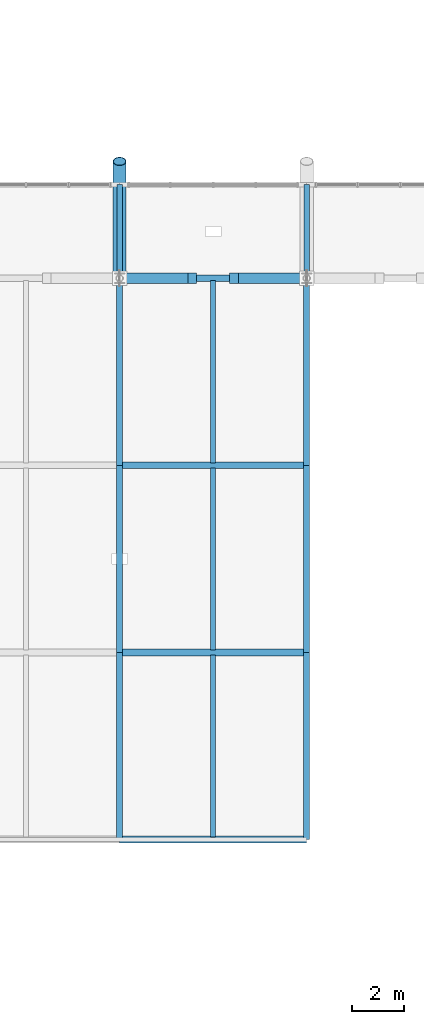
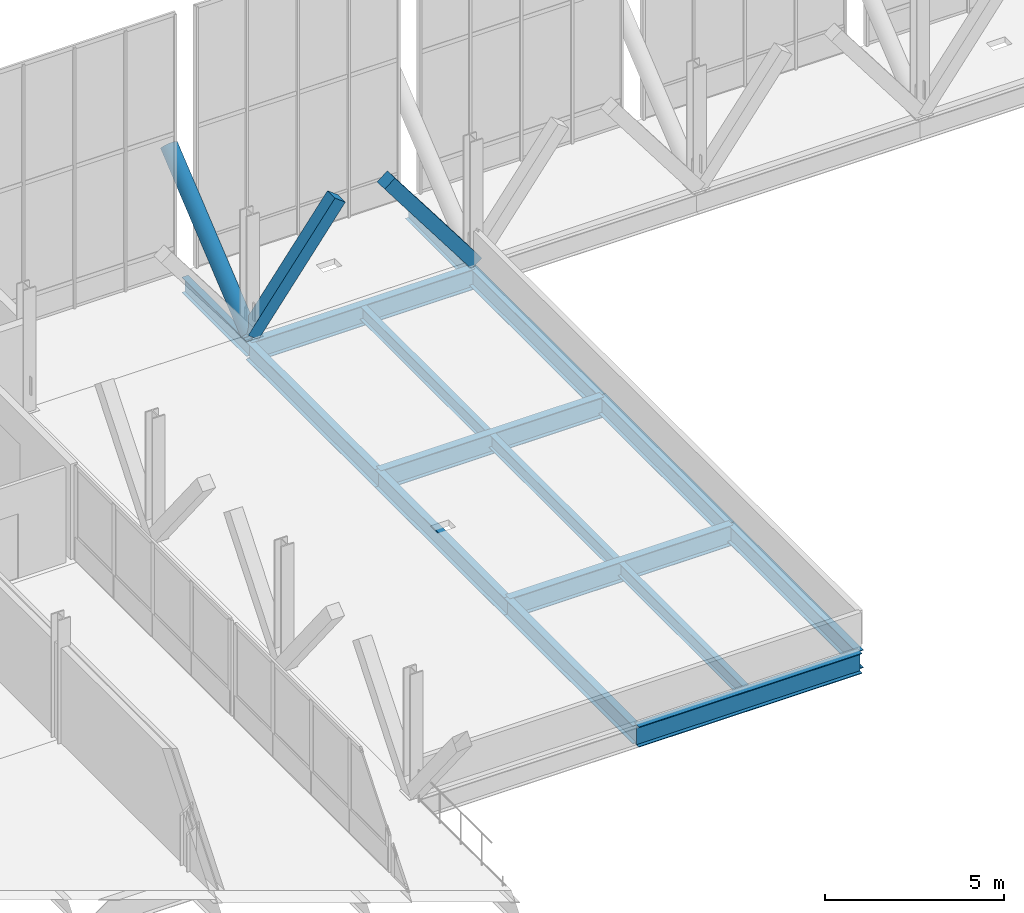
# One storey, part 26 of 102: 15 beams, 3 members.
"""IFC4 building model written with IfcOpenShell, lengths in metres."""

from ifc_helpers import new_model, si_unit, direction, frame, origin, origin_2d, place, context, subcontext, project, spatial, rectangle, hollow_circle, i_section, extrude, material, material_profile, profile_set, type_object, element, save


model = new_model("IFC4")

# Units and contexts
model_context = context("Model", 3, precision=1e-05, world=origin(), true_north=direction((0.0, 1.0)))
body_context = subcontext(model_context, "Body", "Model", "MODEL_VIEW")
ifc_project = project(units=[si_unit("LENGTHUNIT", "METRE"), si_unit("AREAUNIT", "SQUARE_METRE"), si_unit("VOLUMEUNIT", "CUBIC_METRE"), si_unit("PLANEANGLEUNIT", "RADIAN"), si_unit("MASSUNIT", "GRAM", prefix="KILO")], contexts=[model_context])

# Site, building, storey
site_placement = place(None, origin())
site = spatial("IfcSite", under=ifc_project, at=site_placement, CompositionType="ELEMENT")
building_placement = place(site_placement, origin())
building = spatial("IfcBuilding", under=site, at=building_placement, Name="Yarey Park Central Fire Station", CompositionType="ELEMENT")
storey_placement = place(building_placement, frame((0.0, 0.0, 6.0)))
storey = spatial("IfcBuildingStorey", under=building, at=storey_placement, Name="L02", CompositionType="ELEMENT", Elevation=6.0)

# Beams
ifc_material_1 = material(Name="Steel ASTM A992 Gr. 50", Category="steel")
ifc_material_profile_1 = material_profile(ifc_material_1, i_section(OverallWidth=0.208984375, OverallDepth=0.532958984375, WebThickness=0.01025390625, FlangeThickness=0.015625, at=origin_2d()), Name="W530x92")
ifc_profile_set_1 = profile_set([ifc_material_profile_1], Name="Steel ASTM A992 Gr. 50")
beam_type_1 = type_object("IfcBeamType", Name="STR_BM_W530", PredefinedType="BEAM", material=ifc_profile_set_1)
for number, where, z_axis, x_axis, name in (
    (1, (64.800048828125, 57.60009765625, -0.46142578125), (0.0, 1.0, 0.0), (-1.0, 0.0, 0.0), "EAVE RIB S 01"),
    (2, (72.0, 57.60009765625, -0.46142578125), (0.0, 1.0, 0.0), (-1.0, 0.0, 0.0), "EAVE RIB S 02"),
):
    element("IfcBeam", number, at=place(storey_placement, frame(where, z_axis=z_axis, x_axis=x_axis)), inside=storey, type_object=beam_type_1, Name=name, PredefinedType="BEAM", context=body_context, shape_type="SweptSolid", body=[
        extrude(i_section(OverallWidth=0.208984375, OverallDepth=0.532958984375, WebThickness=0.01025390625, FlangeThickness=0.015625, at=origin_2d()), origin(), (0.0, 0.0, 1.0), 3.599853515625),
    ])
ifc_material_profile_2 = material_profile(ifc_material_1, i_section(OverallWidth=0.22900390625, OverallDepth=0.612060546875, WebThickness=0.011962890625, FlangeThickness=0.01953125, at=origin_2d()), Name="W610x125")
ifc_profile_set_2 = profile_set([ifc_material_profile_2], Name="Steel ASTM A992 Gr. 50")
beam_type_2 = type_object("IfcBeamType", Name="STR_BM_W610", PredefinedType="BEAM", material=ifc_profile_set_2)
for number, where, z_axis, x_axis, name in (
    (3, (64.800048828125, 36.0, -0.51611328125), (0.0, 1.0, 0.0), (-1.0, 0.0, 0.0), "BMY L02 X648 Y360"),
    (4, (64.800048828125, 43.199951171875, -0.51611328125), (0.0, 1.0, 0.0), (-1.0, 0.0, 0.0), "BMY L02 X648 Y432"),
):
    element("IfcBeam", number, at=place(storey_placement, frame(where, z_axis=z_axis, x_axis=x_axis)), inside=storey, type_object=beam_type_2, Name=name, PredefinedType="BEAM", context=body_context, shape_type="SweptSolid", body=[
        extrude(i_section(OverallWidth=0.22900390625, OverallDepth=0.612060546875, WebThickness=0.011962890625, FlangeThickness=0.01953125, at=origin_2d()), origin(), (0.0, 0.0, 1.0), 7.199951171875),
    ])
beam_1_placement = place(storey_placement, frame((64.800048828125, 50.39990234375, -0.51611328125), z_axis=(0.0, 1.0, 0.0), x_axis=(-1.0, 0.0, 0.0)))
element("IfcBeam", 5, at=beam_1_placement, inside=storey, type_object=beam_type_2, Name="BMY L02 X648 Y504", PredefinedType="BEAM", context=body_context, shape_type="SweptSolid", body=[
    extrude(i_section(OverallWidth=0.22900390625, OverallDepth=0.612060546875, WebThickness=0.011962890625, FlangeThickness=0.01953125, at=origin_2d()), origin(), (0.0, 0.0, 1.0), 7.2001953125),
])
for number, where, z_axis, x_axis, name in (
    (6, (72.0, 36.0, -0.51611328125), (0.0, 1.0, 0.0), (-1.0, 0.0, 0.0), "BMY L02 X720 Y360"),
    (7, (72.0, 43.199951171875, -0.51611328125), (0.0, 1.0, 0.0), (-1.0, 0.0, 0.0), "BMY L02 X720 Y432"),
):
    element("IfcBeam", number, at=place(storey_placement, frame(where, z_axis=z_axis, x_axis=x_axis)), inside=storey, type_object=beam_type_2, Name=name, PredefinedType="BEAM", context=body_context, shape_type="SweptSolid", body=[
        extrude(i_section(OverallWidth=0.22900390625, OverallDepth=0.612060546875, WebThickness=0.011962890625, FlangeThickness=0.01953125, at=origin_2d()), origin(), (0.0, 0.0, 1.0), 7.199951171875),
    ])
beam_2_placement = place(storey_placement, frame((72.0, 50.39990234375, -0.51611328125), z_axis=(0.0, 1.0, 0.0), x_axis=(-1.0, 0.0, 0.0)))
element("IfcBeam", 8, at=beam_2_placement, inside=storey, type_object=beam_type_2, Name="BMY L02 X720 Y504", PredefinedType="BEAM", context=body_context, shape_type="SweptSolid", body=[
    extrude(i_section(OverallWidth=0.22900390625, OverallDepth=0.612060546875, WebThickness=0.011962890625, FlangeThickness=0.01953125, at=origin_2d()), origin(), (0.0, 0.0, 1.0), 7.2001953125),
])
ifc_material_profile_3 = material_profile(ifc_material_1, i_section(OverallWidth=0.256103515625, OverallDepth=0.693115234375, WebThickness=0.014404296875, FlangeThickness=0.023681640625, at=origin_2d()), Name="W690x170")
ifc_profile_set_3 = profile_set([ifc_material_profile_3], Name="Steel ASTM A992 Gr. 50")
beam_type_3 = type_object("IfcBeamType", Name="STR_BM_W690", PredefinedType="BEAM", material=ifc_profile_set_3)
for number, where, z_axis, x_axis, name in (
    (9, (64.800048828125, 36.0, -0.556396484375), (1.0, 0.0, 0.0), (0.0, 1.0, 0.0), "BMX L02 Y360 X648"),
    (10, (64.800048828125, 43.199951171875, -0.556396484375), (1.0, 0.0, 0.0), (0.0, 1.0, 0.0), "BMX L02 Y432 X648"),
    (11, (64.800048828125, 50.39990234375, -0.556396484375), (1.0, 0.0, 0.0), (0.0, 1.0, 0.0), "BMX L02 Y504 X648"),
    (12, (64.800048828125, 57.60009765625, -0.556396484375), (1.0, 0.0, 0.0), (0.0, 1.0, 0.0), "BMX L02 Y576 X648"),
):
    element("IfcBeam", number, at=place(storey_placement, frame(where, z_axis=z_axis, x_axis=x_axis)), inside=storey, type_object=beam_type_3, Name=name, PredefinedType="BEAM", context=body_context, shape_type="SweptSolid", body=[
        extrude(i_section(OverallWidth=0.256103515625, OverallDepth=0.693115234375, WebThickness=0.014404296875, FlangeThickness=0.023681640625, at=origin_2d()), origin(), (0.0, 0.0, 1.0), 7.199951171875),
    ])

# Member
ifc_material_2 = material(Name="Steel ASTM A500 Gr. C", Category="steel")
ifc_material_profile_4 = material_profile(ifc_material_2, hollow_circle(Radius=0.25390625, WallThickness=0.02001953125, at=origin_2d()), Name="CHS 508x20")
ifc_profile_set_4 = profile_set([ifc_material_profile_4], Name="Steel ASTM A500 Gr. C")
member_type_1 = type_object("IfcMemberType", Name="STR_CHORD_CHS508", PredefinedType="CHORD", material=ifc_profile_set_4)
member_placement = place(storey_placement, frame((64.800048828125, 57.60009765625, 0.0), z_axis=(0.0, 0.770847459396, 0.637019775473), x_axis=(-1.0, 0.0, 0.0)))
element("IfcMember", 13, at=member_placement, inside=storey, type_object=member_type_1, Name="Arched Roof Truss ART_02 Bottom Chord 1", PredefinedType="CHORD", context=body_context, shape_type="SweptSolid", body=[
    extrude(hollow_circle(Radius=0.25390625, WallThickness=0.02001953125, at=origin_2d()), origin(), (0.0, 0.0, 1.0), 5.837646484375),
])

# Beams
ifc_material_profile_5 = material_profile(ifc_material_1, i_section(OverallWidth=0.18994140625, OverallDepth=0.45703125, WebThickness=0.009033203125, FlangeThickness=0.014404296875, at=origin_2d()), Name="W460x74")
ifc_profile_set_5 = profile_set([ifc_material_profile_5], Name="Steel ASTM A992 Gr. 50")
beam_type_4 = type_object("IfcBeamType", Name="STR_JST_W460", PredefinedType="JOIST", material=ifc_profile_set_5)
for number, where, z_axis, x_axis, name in (
    (14, (68.39990234375, 36.094970703125, -0.4384765625), (0.0, 1.0, 0.0), (-1.0, 0.0, 0.0), "JST L02 X684 Y360"),
    (15, (68.39990234375, 43.294921875, -0.4384765625), (0.0, 1.0, 0.0), (-1.0, 0.0, 0.0), "JST L02 X684 Y432"),
):
    element("IfcBeam", number, at=place(storey_placement, frame(where, z_axis=z_axis, x_axis=x_axis)), inside=storey, type_object=beam_type_4, Name=name, PredefinedType="JOIST", context=body_context, shape_type="SweptSolid", body=[
        extrude(i_section(OverallWidth=0.18994140625, OverallDepth=0.45703125, WebThickness=0.009033203125, FlangeThickness=0.014404296875, at=origin_2d()), origin(), (0.0, 0.0, 1.0), 7.010009765625),
    ])
beam_3_placement = place(storey_placement, frame((68.39990234375, 50.4951171875, -0.4384765625), z_axis=(0.0, 1.0, 0.0), x_axis=(-1.0, 0.0, 0.0)))
element("IfcBeam", 16, at=beam_3_placement, inside=storey, type_object=beam_type_4, Name="JST L02 X684 Y504", PredefinedType="JOIST", context=body_context, shape_type="SweptSolid", body=[
    extrude(i_section(OverallWidth=0.18994140625, OverallDepth=0.45703125, WebThickness=0.009033203125, FlangeThickness=0.014404296875, at=origin_2d()), origin(), (0.0, 0.0, 1.0), 7.009765625),
])

# Members
ifc_material_3 = material(Name="Glulam GL28h", Category="wood")
ifc_material_profile_6 = material_profile(ifc_material_3, rectangle(XDim=0.419921875, YDim=0.419921875, at=origin_2d()), Name="GL 420x420")
ifc_profile_set_6 = profile_set([ifc_material_profile_6], Name="Glulam GL28h")
member_type_2 = type_object("IfcMemberType", Name="STR_STRUT_GL420", PredefinedType="STRUT", material=ifc_profile_set_6)
for number, where, z_axis, x_axis, name in (
    (17, (64.800048828125, 57.60009765625, 0.02001953125), (0.603454425048, 0.0, 0.797397489895), (0.0, 1.0, 0.0), "Raked Glulam Strut RGS-025"),
    (18, (72.0, 57.60009765625, 0.02001953125), (-0.603454425048, 0.0, 0.797397489895), (0.0, -1.0, 0.0), "Raked Glulam Strut RGS-030"),
):
    element("IfcMember", number, at=place(storey_placement, frame(where, z_axis=z_axis, x_axis=x_axis)), inside=storey, type_object=member_type_2, Name=name, PredefinedType="STRUT", context=body_context, shape_type="SweptSolid", body=[
        extrude(rectangle(XDim=0.419921875, YDim=0.419921875, at=origin_2d()), origin(), (0.0, 0.0, 1.0), 4.64013671875),
    ])

save(model, "model.ifc")
